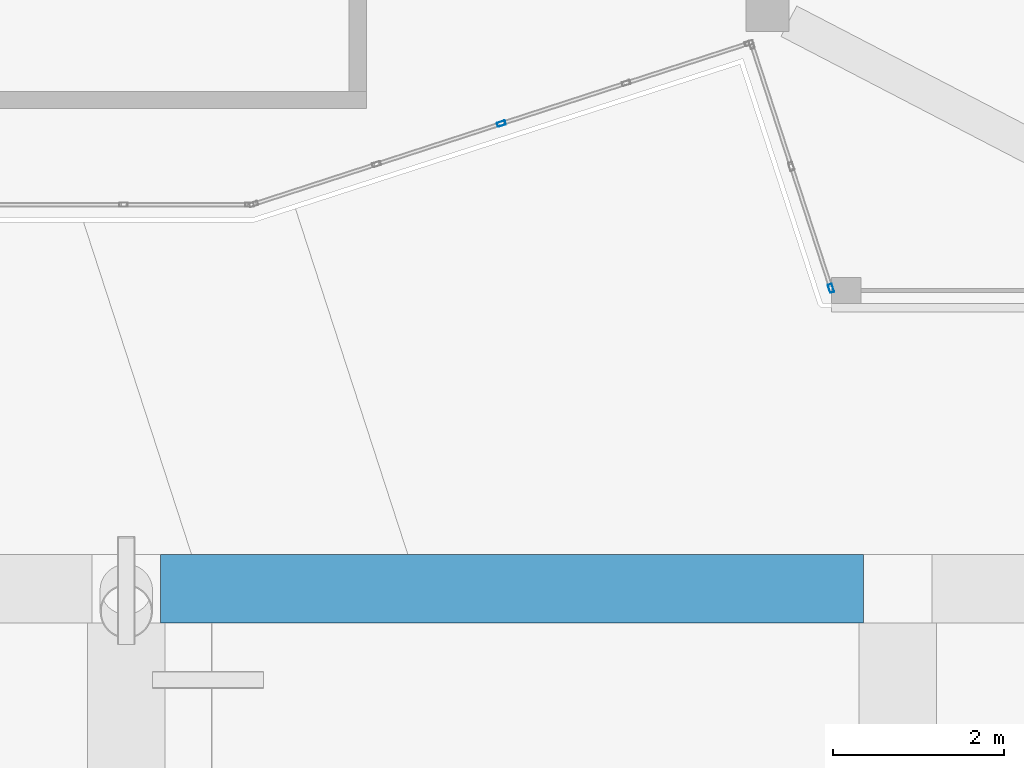
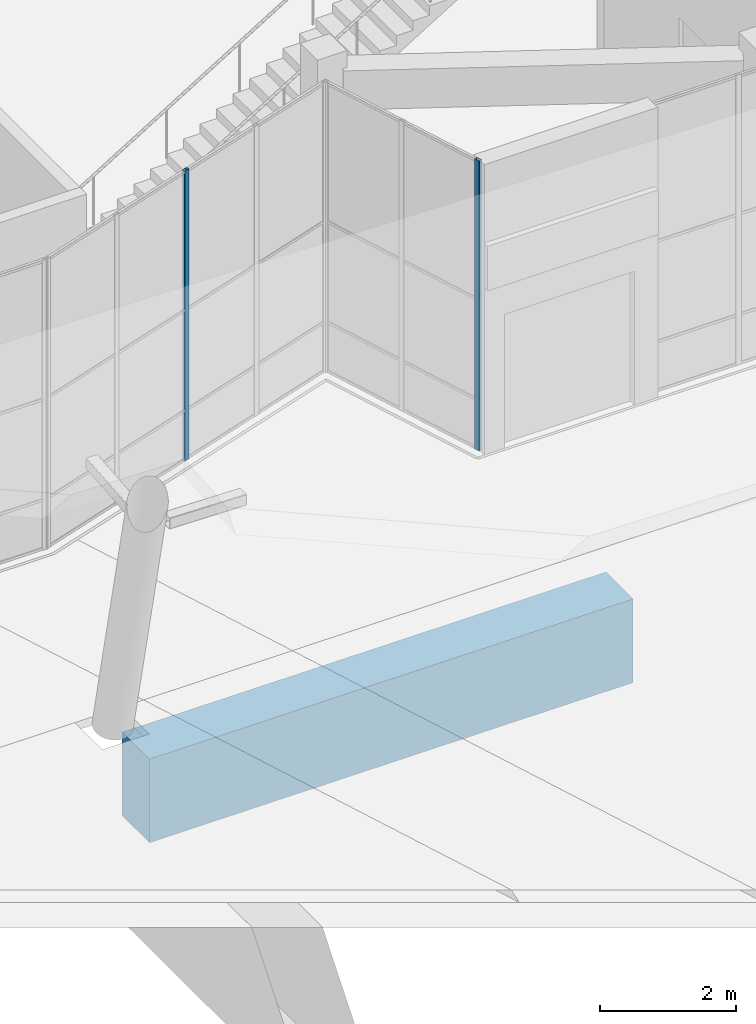
# One storey, part 9 of 72: 2 members, 1 beam, 2 elements without a shape of their own.
"""IFC4 building model written with IfcOpenShell, lengths in metres."""

from ifc_helpers import new_model, si_unit, direction, frame, origin, origin_2d, place, context, subcontext, project, spatial, rectangle, hollow_rectangle, extrude, material, layer, layer_set, material_profile, profile_set, type_object, element, aggregate, save


model = new_model("IFC4")

# Units and contexts
model_context = context("Model", 3, precision=1e-05, world=origin(), true_north=direction((0.0, 1.0)))
body_context = subcontext(model_context, "Body", "Model", "MODEL_VIEW")
ifc_project = project(units=[si_unit("LENGTHUNIT", "METRE"), si_unit("AREAUNIT", "SQUARE_METRE"), si_unit("VOLUMEUNIT", "CUBIC_METRE"), si_unit("PLANEANGLEUNIT", "RADIAN"), si_unit("MASSUNIT", "GRAM", prefix="KILO")], contexts=[model_context])

# Site, building, storey
site_placement = place(None, origin())
site = spatial("IfcSite", under=ifc_project, at=site_placement, CompositionType="ELEMENT")
building_placement = place(site_placement, origin())
building = spatial("IfcBuilding", under=site, at=building_placement, Name="Tuart Plaza Theatre", CompositionType="ELEMENT")
storey_placement = place(building_placement, origin())
storey = spatial("IfcBuildingStorey", under=building, at=storey_placement, Name="L00", CompositionType="ELEMENT", Elevation=0.0)

# Beam
ifc_material_1 = material(Name="Concrete N40 (40 MPa)", Category="concrete")
ifc_material_profile_1 = material_profile(ifc_material_1, rectangle(XDim=0.800048828125, YDim=1.5, at=origin_2d()), Name="BEAM 800x1500 Concrete N40 (40 MPa)")
ifc_profile_set_1 = profile_set([ifc_material_profile_1], Name="Concrete N40 (40 MPa)")
beam_type = type_object("IfcBeamType", Name="BEAM 800x1500 Concrete N40 (40 MPa)", PredefinedType="BEAM", material=ifc_profile_set_1)
beam_placement = place(storey_placement, frame((87.39990234375, 38.0, -1.199951171875), z_axis=(1.0, 0.0, 0.0), x_axis=(0.0, 1.0, 0.0)))
element("IfcBeam", 1, at=beam_placement, inside=storey, type_object=beam_type, Name="RB424", PredefinedType="BEAM", context=body_context, shape_type="SweptSolid", body=[
    extrude(rectangle(XDim=0.800048828125, YDim=1.5, at=origin_2d()), origin(), (0.0, 0.0, 1.0), 8.2001953125),
])

# Curtain wall, member
ifc_material_2 = material(Name="Aluminium and glass", Category="aluminium")
ifc_layer = layer(ifc_material_2, 0.10009765625)
ifc_layer_set = layer_set([ifc_layer], Name="CURTAIN WALL 1500 module")
curtain_wall_type = type_object("IfcCurtainWallType", Name="CURTAIN WALL 1500 module", PredefinedType="NOTDEFINED", material=ifc_layer_set)
curtain_wall_1_placement = place(storey_placement, origin())
curtain_wall_1 = element("IfcCurtainWall", 2, at=curtain_wall_1_placement, inside=storey, type_object=curtain_wall_type, Name="CW4", PredefinedType="NOTDEFINED")
ifc_material_3 = material(Name="Aluminium 6063-T5", Category="aluminium")
ifc_material_profile_2 = material_profile(ifc_material_3, hollow_rectangle(XDim=0.050048828125, YDim=0.10009765625, WallThickness=0.00390625, InnerFilletRadius=0.00390625, OuterFilletRadius=0.008056640625, at=origin_2d()), Name="RHS 100x50x4")
ifc_profile_set_2 = profile_set([ifc_material_profile_2], Name="Aluminium 6063-T5")
member_type = type_object("IfcMemberType", Name="MULLION RHS 100x50x4", PredefinedType="MULLION", material=ifc_profile_set_2)
member_1_placement = place(storey_placement, frame((91.376220703125, 43.424560546875, 0.0), z_axis=(0.0, 0.0, 1.0), x_axis=(-0.309018232632, 0.95105611396, 0.0)))
member_1 = element("IfcMember", 3, at=member_1_placement, type_object=member_type, Name="CW4 mullion 3", PredefinedType="MULLION", context=body_context, shape_type="SweptSolid", body=[
    extrude(hollow_rectangle(XDim=0.050048828125, YDim=0.10009765625, WallThickness=0.00390625, InnerFilletRadius=0.00390625, OuterFilletRadius=0.008056640625, at=origin_2d()), origin(), (0.0, 0.0, 1.0), 5.199951171875),
])
aggregate(curtain_wall_1, [member_1])

curtain_wall_2_placement = place(storey_placement, origin())
curtain_wall_2 = element("IfcCurtainWall", 4, at=curtain_wall_2_placement, inside=storey, type_object=curtain_wall_type, Name="CW5", PredefinedType="NOTDEFINED")
member_2_placement = place(storey_placement, frame((95.22119140625, 41.502685546875, 0.0), z_axis=(0.0, 0.0, 1.0), x_axis=(0.951056113949, 0.309018232665, 0.0)))
member_2 = element("IfcMember", 5, at=member_2_placement, type_object=member_type, Name="CW5 mullion 3", PredefinedType="MULLION", context=body_context, shape_type="SweptSolid", body=[
    extrude(hollow_rectangle(XDim=0.050048828125, YDim=0.10009765625, WallThickness=0.00390625, InnerFilletRadius=0.00390625, OuterFilletRadius=0.008056640625, at=origin_2d()), origin(), (0.0, 0.0, 1.0), 5.199951171875),
])
aggregate(curtain_wall_2, [member_2])

save(model, "model.ifc")
